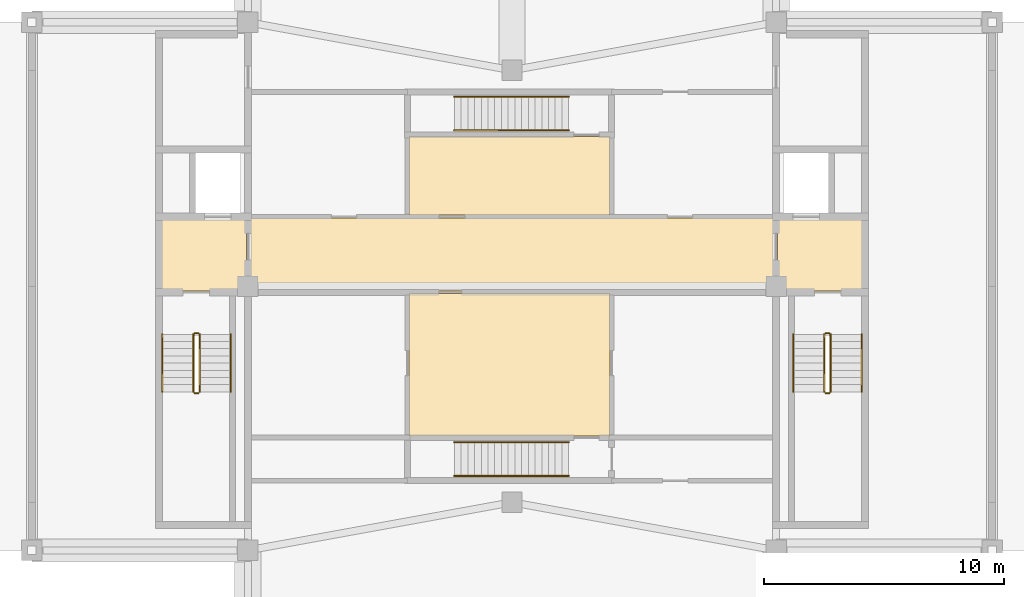
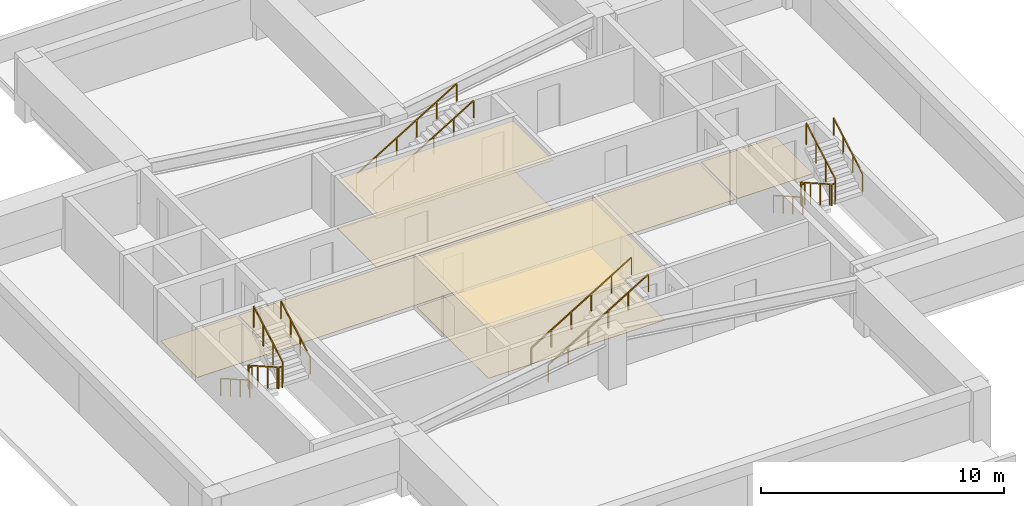
# One storey, part 4 of 4: 16 railings, 7 coverings.
"""IFC4 building model written with IfcOpenShell, lengths in metres."""

from ifc_helpers import new_model, si_unit, direction, frame, origin, origin_2d, place, context, subcontext, project, spatial, polyline, rectangle, outline, extrude, material, layer, layer_set, type_object, element, save


model = new_model("IFC4")

# Units and contexts
model_context = context("Model", 3, precision=1e-05, world=origin(), true_north=direction((0.0, 1.0)))
body_context = subcontext(model_context, "Body", "Model", "MODEL_VIEW")
ifc_project = project(units=[si_unit("LENGTHUNIT", "METRE"), si_unit("AREAUNIT", "SQUARE_METRE"), si_unit("VOLUMEUNIT", "CUBIC_METRE"), si_unit("PLANEANGLEUNIT", "RADIAN"), si_unit("MASSUNIT", "GRAM", prefix="KILO")], contexts=[model_context])

# Site, building, storey
site_placement = place(None, origin())
site = spatial("IfcSite", under=ifc_project, at=site_placement, CompositionType="ELEMENT")
building_placement = place(site_placement, origin())
building = spatial("IfcBuilding", under=site, at=building_placement, Name="Zulmaris Gate Convention Tower", CompositionType="ELEMENT")
storey_placement = place(building_placement, frame((0.0, 0.0, 281.800048828125)))
storey = spatial("IfcBuildingStorey", under=building, at=storey_placement, Name="L75", CompositionType="ELEMENT", Elevation=281.800048828125)

# Coverings
ifc_material_1 = material(Name="Mineral Fibre Acoustic Ceiling Tile")
ifc_layer_1 = layer(ifc_material_1, 0.02001953125, Name="Mineral Fibre Acoustic Ceiling Tile")
ifc_layer_set_1 = layer_set([ifc_layer_1], Name="Mineral Fibre Acoustic Ceiling Tile")
covering_type_1 = type_object("IfcCoveringType", Name="CLG-ACOUSTIC-600", PredefinedType="CEILING", material=ifc_layer_set_1)
covering_1_placement = place(storey_placement, frame((0.0, 0.0, 2.454833984375)))
element("IfcCovering", 1, at=covering_1_placement, inside=storey, type_object=covering_type_1, Name="CLG-L75-R16", PredefinedType="CEILING", context=body_context, shape_type="SweptSolid", body=[
    extrude(outline(polyline([(-4.2900390625, -6.239990234375), (4.090087890625, -6.239990234375), (4.090087890625, -0.31005859375), (-4.2900390625, -0.31005859375), (-4.2900390625, -6.239990234375)])), origin(), (0.0, 0.0, 1.0), 0.02001953125),
])
covering_2_placement = place(storey_placement, frame((0.0, 0.0, 2.454833984375)))
element("IfcCovering", 2, at=covering_2_placement, inside=storey, type_object=covering_type_1, Name="CLG-L75-R17", PredefinedType="CEILING", context=body_context, shape_type="SweptSolid", body=[
    extrude(outline(polyline([(-4.2900390625, 2.9599609375), (4.090087890625, 2.9599609375), (4.090087890625, 6.239990234375), (-4.2900390625, 6.239990234375), (-4.2900390625, 2.9599609375)])), origin(), (0.0, 0.0, 1.0), 0.02001953125),
])
ifc_material_2 = material(Name="Woven Acoustic Wool Carpet Tile")
ifc_layer_2 = layer(ifc_material_2, 0.02001953125, Name="Woven Acoustic Wool Carpet Tile")
ifc_layer_set_2 = layer_set([ifc_layer_2], Name="Woven Acoustic Wool Carpet Tile")
covering_type_2 = type_object("IfcCoveringType", Name="FLR-CARPET-12", PredefinedType="FLOORING", material=ifc_layer_set_2)
covering_3_placement = place(storey_placement, origin())
element("IfcCovering", 3, at=covering_3_placement, inside=storey, type_object=covering_type_2, Name="FLR-L75-R03", PredefinedType="FLOORING", context=body_context, shape_type="SweptSolid", body=[
    extrude(outline(polyline([(-14.639892578125, -0.18994140625), (-11.06005859375, -0.18994140625), (-11.06005859375, 2.840087890625), (-14.639892578125, 2.840087890625), (-14.639892578125, -0.18994140625)])), origin(), (0.0, 0.0, 1.0), 0.02001953125),
])
covering_4_placement = place(storey_placement, origin())
element("IfcCovering", 4, at=covering_4_placement, inside=storey, type_object=covering_type_2, Name="FLR-L75-R08", PredefinedType="FLOORING", context=body_context, shape_type="SweptSolid", body=[
    extrude(outline(polyline([(11.06005859375, -0.18994140625), (14.639892578125, -0.18994140625), (14.639892578125, 2.840087890625), (11.06005859375, 2.840087890625), (11.06005859375, -0.18994140625)])), origin(), (0.0, 0.0, 1.0), 0.02001953125),
])
covering_5_placement = place(storey_placement, origin())
element("IfcCovering", 5, at=covering_5_placement, inside=storey, type_object=covering_type_2, Name="FLR-L75-R15", PredefinedType="FLOORING", context=body_context, shape_type="SweptSolid", body=[
    extrude(outline(polyline([(-10.93994140625, -0.18994140625), (10.93994140625, -0.18994140625), (10.93994140625, 2.840087890625), (-10.93994140625, 2.840087890625), (-10.93994140625, -0.18994140625)])), origin(), (0.0, 0.0, 1.0), 0.02001953125),
])
covering_6_placement = place(storey_placement, origin())
element("IfcCovering", 6, at=covering_6_placement, inside=storey, type_object=covering_type_2, Name="FLR-L75-R16", PredefinedType="FLOORING", context=body_context, shape_type="SweptSolid", body=[
    extrude(outline(polyline([(-4.2900390625, -6.239990234375), (4.090087890625, -6.239990234375), (4.090087890625, -0.31005859375), (-4.2900390625, -0.31005859375), (-4.2900390625, -6.239990234375)])), origin(), (0.0, 0.0, 1.0), 0.02001953125),
])
covering_7_placement = place(storey_placement, origin())
element("IfcCovering", 7, at=covering_7_placement, inside=storey, type_object=covering_type_2, Name="FLR-L75-R17", PredefinedType="FLOORING", context=body_context, shape_type="SweptSolid", body=[
    extrude(outline(polyline([(-4.2900390625, 2.9599609375), (4.090087890625, 2.9599609375), (4.090087890625, 6.239990234375), (-4.2900390625, 6.239990234375), (-4.2900390625, 2.9599609375)])), origin(), (0.0, 0.0, 1.0), 0.02001953125),
])

# Railings
ifc_material_3 = material(Name="Painted Galvanised Steel", Category="steel")
railing_type_1 = type_object("IfcRailingType", Name="RL-STG-1150", PredefinedType="GUARDRAIL", material=ifc_material_3)
railing_1_placement = place(storey_placement, frame((-13.27001953125, -2.0, 0.169921875)))
element("IfcRailing", 8, at=railing_1_placement, inside=storey, type_object=railing_type_1, Name="L75 ST-1 stair guard 1", PredefinedType="GUARDRAIL", context=body_context, shape_type="SweptSolid", body=[
    extrude(rectangle(XDim=0.048095703125, YDim=0.048095703125, at=origin_2d()), frame((0.0, 0.0, 1.076171875), z_axis=(0.0, -0.870034840214, 0.49299024008), x_axis=(1.0, 0.0, 0.0)), (0.0, 0.0, 1.0), 2.75830078125),
    extrude(rectangle(XDim=0.0419921875, YDim=0.0419921875, at=origin_2d()), origin(), (0.0, 0.0, 1.0), 1.052001953125),
    extrude(rectangle(XDim=0.0419921875, YDim=0.0419921875, at=origin_2d()), frame((0.0, -0.800048828125, 0.453369140625)), (0.0, 0.0, 1.0), 1.052001953125),
    extrude(rectangle(XDim=0.0419921875, YDim=0.0419921875, at=origin_2d()), frame((0.0, -1.599853515625, 0.906494140625)), (0.0, 0.0, 1.0), 1.052001953125),
    extrude(rectangle(XDim=0.0419921875, YDim=0.0419921875, at=origin_2d()), frame((0.0, -2.39990234375, 1.35986328125)), (0.0, 0.0, 1.0), 1.052001953125),
])
railing_2_placement = place(storey_placement, frame((-13.219970703125, -4.449951171875, 1.52978515625)))
element("IfcRailing", 9, at=railing_2_placement, inside=storey, type_object=railing_type_1, Name="L75 ST-1 stair guard 2", PredefinedType="GUARDRAIL", context=body_context, shape_type="SweptSolid", body=[
    extrude(rectangle(XDim=0.048095703125, YDim=0.048095703125, at=origin_2d()), frame((0.0, 0.0, 1.076171875), z_axis=(1.0, 0.0, 0.0), x_axis=(0.0, 1.0, 0.0)), (0.0, 0.0, 1.0), 0.159912109375),
    extrude(rectangle(XDim=0.0419921875, YDim=0.0419921875, at=origin_2d()), origin(), (0.0, 0.0, 1.0), 1.052001953125),
    extrude(rectangle(XDim=0.0419921875, YDim=0.0419921875, at=origin_2d()), frame((0.159912109375, 0.0, 0.0)), (0.0, 0.0, 1.0), 1.052001953125),
])
railing_3_placement = place(storey_placement, frame((-13.010009765625, -4.39990234375, 1.699951171875)))
element("IfcRailing", 10, at=railing_3_placement, inside=storey, type_object=railing_type_1, Name="L75 ST-1 stair guard 3", PredefinedType="GUARDRAIL", context=body_context, shape_type="SweptSolid", body=[
    extrude(rectangle(XDim=0.048095703125, YDim=0.048095703125, at=origin_2d()), frame((0.0, 0.0, 1.076171875), z_axis=(0.0, 0.870034840214, 0.49299024008), x_axis=(-1.0, 0.0, 0.0)), (0.0, 0.0, 1.0), 2.75830078125),
    extrude(rectangle(XDim=0.0419921875, YDim=0.0419921875, at=origin_2d()), origin(), (0.0, 0.0, 1.0), 1.052001953125),
    extrude(rectangle(XDim=0.0419921875, YDim=0.0419921875, at=origin_2d()), frame((0.0, 0.800048828125, 0.453369140625)), (0.0, 0.0, 1.0), 1.052001953125),
    extrude(rectangle(XDim=0.0419921875, YDim=0.0419921875, at=origin_2d()), frame((0.0, 1.599853515625, 0.906494140625)), (0.0, 0.0, 1.0), 1.052001953125),
    extrude(rectangle(XDim=0.0419921875, YDim=0.0419921875, at=origin_2d()), frame((0.0, 2.39990234375, 1.35986328125)), (0.0, 0.0, 1.0), 1.052001953125),
])
railing_4_placement = place(storey_placement, frame((-13.219970703125, -1.949951171875, 0.0)))
element("IfcRailing", 11, at=railing_4_placement, inside=storey, type_object=railing_type_1, Name="L75 ST-1 stair guard 4", PredefinedType="GUARDRAIL", context=body_context, shape_type="SweptSolid", body=[
    extrude(rectangle(XDim=0.048095703125, YDim=0.048095703125, at=origin_2d()), frame((0.0, 0.0, 1.076171875), z_axis=(1.0, 0.0, 0.0), x_axis=(0.0, 1.0, 0.0)), (0.0, 0.0, 1.0), 0.159912109375),
    extrude(rectangle(XDim=0.0419921875, YDim=0.0419921875, at=origin_2d()), origin(), (0.0, 0.0, 1.0), 1.052001953125),
    extrude(rectangle(XDim=0.0419921875, YDim=0.0419921875, at=origin_2d()), frame((0.159912109375, 0.0, 0.0)), (0.0, 0.0, 1.0), 1.052001953125),
])
railing_5_placement = place(storey_placement, frame((13.010009765625, -2.0, 0.169921875)))
element("IfcRailing", 12, at=railing_5_placement, inside=storey, type_object=railing_type_1, Name="L75 ST-2 stair guard 1", PredefinedType="GUARDRAIL", context=body_context, shape_type="SweptSolid", body=[
    extrude(rectangle(XDim=0.048095703125, YDim=0.048095703125, at=origin_2d()), frame((0.0, 0.0, 1.076171875), z_axis=(0.0, -0.870034840214, 0.49299024008), x_axis=(1.0, 0.0, 0.0)), (0.0, 0.0, 1.0), 2.75830078125),
    extrude(rectangle(XDim=0.0419921875, YDim=0.0419921875, at=origin_2d()), origin(), (0.0, 0.0, 1.0), 1.052001953125),
    extrude(rectangle(XDim=0.0419921875, YDim=0.0419921875, at=origin_2d()), frame((0.0, -0.800048828125, 0.453369140625)), (0.0, 0.0, 1.0), 1.052001953125),
    extrude(rectangle(XDim=0.0419921875, YDim=0.0419921875, at=origin_2d()), frame((0.0, -1.599853515625, 0.906494140625)), (0.0, 0.0, 1.0), 1.052001953125),
    extrude(rectangle(XDim=0.0419921875, YDim=0.0419921875, at=origin_2d()), frame((0.0, -2.39990234375, 1.35986328125)), (0.0, 0.0, 1.0), 1.052001953125),
])
railing_6_placement = place(storey_placement, frame((13.06005859375, -4.449951171875, 1.52978515625)))
element("IfcRailing", 13, at=railing_6_placement, inside=storey, type_object=railing_type_1, Name="L75 ST-2 stair guard 2", PredefinedType="GUARDRAIL", context=body_context, shape_type="SweptSolid", body=[
    extrude(rectangle(XDim=0.048095703125, YDim=0.048095703125, at=origin_2d()), frame((0.0, 0.0, 1.076171875), z_axis=(1.0, 0.0, 0.0), x_axis=(0.0, 1.0, 0.0)), (0.0, 0.0, 1.0), 0.159912109375),
    extrude(rectangle(XDim=0.0419921875, YDim=0.0419921875, at=origin_2d()), origin(), (0.0, 0.0, 1.0), 1.052001953125),
    extrude(rectangle(XDim=0.0419921875, YDim=0.0419921875, at=origin_2d()), frame((0.159912109375, 0.0, 0.0)), (0.0, 0.0, 1.0), 1.052001953125),
])
railing_7_placement = place(storey_placement, frame((13.27001953125, -4.39990234375, 1.699951171875)))
element("IfcRailing", 14, at=railing_7_placement, inside=storey, type_object=railing_type_1, Name="L75 ST-2 stair guard 3", PredefinedType="GUARDRAIL", context=body_context, shape_type="SweptSolid", body=[
    extrude(rectangle(XDim=0.048095703125, YDim=0.048095703125, at=origin_2d()), frame((0.0, 0.0, 1.076171875), z_axis=(0.0, 0.870034840214, 0.49299024008), x_axis=(-1.0, 0.0, 0.0)), (0.0, 0.0, 1.0), 2.75830078125),
    extrude(rectangle(XDim=0.0419921875, YDim=0.0419921875, at=origin_2d()), origin(), (0.0, 0.0, 1.0), 1.052001953125),
    extrude(rectangle(XDim=0.0419921875, YDim=0.0419921875, at=origin_2d()), frame((0.0, 0.800048828125, 0.453369140625)), (0.0, 0.0, 1.0), 1.052001953125),
    extrude(rectangle(XDim=0.0419921875, YDim=0.0419921875, at=origin_2d()), frame((0.0, 1.599853515625, 0.906494140625)), (0.0, 0.0, 1.0), 1.052001953125),
    extrude(rectangle(XDim=0.0419921875, YDim=0.0419921875, at=origin_2d()), frame((0.0, 2.39990234375, 1.35986328125)), (0.0, 0.0, 1.0), 1.052001953125),
])
railing_8_placement = place(storey_placement, frame((13.06005859375, -1.949951171875, 0.0)))
element("IfcRailing", 15, at=railing_8_placement, inside=storey, type_object=railing_type_1, Name="L75 ST-2 stair guard 4", PredefinedType="GUARDRAIL", context=body_context, shape_type="SweptSolid", body=[
    extrude(rectangle(XDim=0.048095703125, YDim=0.048095703125, at=origin_2d()), frame((0.0, 0.0, 1.076171875), z_axis=(1.0, 0.0, 0.0), x_axis=(0.0, 1.0, 0.0)), (0.0, 0.0, 1.0), 0.159912109375),
    extrude(rectangle(XDim=0.0419921875, YDim=0.0419921875, at=origin_2d()), origin(), (0.0, 0.0, 1.0), 1.052001953125),
    extrude(rectangle(XDim=0.0419921875, YDim=0.0419921875, at=origin_2d()), frame((0.159912109375, 0.0, 0.0)), (0.0, 0.0, 1.0), 1.052001953125),
])
ifc_material_4 = material(Name="Brushed Stainless Steel", Category="steel")
railing_type_2 = type_object("IfcRailingType", Name="RL-STH-900", PredefinedType="HANDRAIL", material=ifc_material_4)
railing_9_placement = place(storey_placement, frame((-14.570068359375, -2.0, 0.169921875)))
element("IfcRailing", 16, at=railing_9_placement, inside=storey, type_object=railing_type_2, Name="L75 ST-1 stair handrail 1", PredefinedType="HANDRAIL", context=body_context, shape_type="SweptSolid", body=[
    extrude(rectangle(XDim=0.048095703125, YDim=0.048095703125, at=origin_2d()), frame((0.0, 0.0, 0.8759765625), z_axis=(0.0, -0.870034840214, 0.49299024008), x_axis=(1.0, 0.0, 0.0)), (0.0, 0.0, 1.0), 2.75830078125),
    extrude(rectangle(XDim=0.0419921875, YDim=0.0419921875, at=origin_2d()), origin(), (0.0, 0.0, 1.0), 0.851806640625),
    extrude(rectangle(XDim=0.0419921875, YDim=0.0419921875, at=origin_2d()), frame((0.0, -0.800048828125, 0.453369140625)), (0.0, 0.0, 1.0), 0.851806640625),
    extrude(rectangle(XDim=0.0419921875, YDim=0.0419921875, at=origin_2d()), frame((0.0, -1.599853515625, 0.906494140625)), (0.0, 0.0, 1.0), 0.851806640625),
    extrude(rectangle(XDim=0.0419921875, YDim=0.0419921875, at=origin_2d()), frame((0.0, -2.39990234375, 1.35986328125)), (0.0, 0.0, 1.0), 0.851806640625),
])
railing_10_placement = place(storey_placement, frame((-11.7099609375, -4.39990234375, 1.699951171875)))
element("IfcRailing", 17, at=railing_10_placement, inside=storey, type_object=railing_type_2, Name="L75 ST-1 stair handrail 2", PredefinedType="HANDRAIL", context=body_context, shape_type="SweptSolid", body=[
    extrude(rectangle(XDim=0.048095703125, YDim=0.048095703125, at=origin_2d()), frame((0.0, 0.0, 0.8759765625), z_axis=(0.0, 0.870034840214, 0.49299024008), x_axis=(-1.0, 0.0, 0.0)), (0.0, 0.0, 1.0), 2.75830078125),
    extrude(rectangle(XDim=0.0419921875, YDim=0.0419921875, at=origin_2d()), origin(), (0.0, 0.0, 1.0), 0.851806640625),
    extrude(rectangle(XDim=0.0419921875, YDim=0.0419921875, at=origin_2d()), frame((0.0, 0.800048828125, 0.453369140625)), (0.0, 0.0, 1.0), 0.851806640625),
    extrude(rectangle(XDim=0.0419921875, YDim=0.0419921875, at=origin_2d()), frame((0.0, 1.599853515625, 0.906494140625)), (0.0, 0.0, 1.0), 0.851806640625),
    extrude(rectangle(XDim=0.0419921875, YDim=0.0419921875, at=origin_2d()), frame((0.0, 2.39990234375, 1.35986328125)), (0.0, 0.0, 1.0), 0.851806640625),
])
railing_11_placement = place(storey_placement, frame((11.7099609375, -2.0, 0.169921875)))
element("IfcRailing", 18, at=railing_11_placement, inside=storey, type_object=railing_type_2, Name="L75 ST-2 stair handrail 1", PredefinedType="HANDRAIL", context=body_context, shape_type="SweptSolid", body=[
    extrude(rectangle(XDim=0.048095703125, YDim=0.048095703125, at=origin_2d()), frame((0.0, 0.0, 0.8759765625), z_axis=(0.0, -0.870034840214, 0.49299024008), x_axis=(1.0, 0.0, 0.0)), (0.0, 0.0, 1.0), 2.75830078125),
    extrude(rectangle(XDim=0.0419921875, YDim=0.0419921875, at=origin_2d()), origin(), (0.0, 0.0, 1.0), 0.851806640625),
    extrude(rectangle(XDim=0.0419921875, YDim=0.0419921875, at=origin_2d()), frame((0.0, -0.800048828125, 0.453369140625)), (0.0, 0.0, 1.0), 0.851806640625),
    extrude(rectangle(XDim=0.0419921875, YDim=0.0419921875, at=origin_2d()), frame((0.0, -1.599853515625, 0.906494140625)), (0.0, 0.0, 1.0), 0.851806640625),
    extrude(rectangle(XDim=0.0419921875, YDim=0.0419921875, at=origin_2d()), frame((0.0, -2.39990234375, 1.35986328125)), (0.0, 0.0, 1.0), 0.851806640625),
])
railing_12_placement = place(storey_placement, frame((14.570068359375, -4.39990234375, 1.699951171875)))
element("IfcRailing", 19, at=railing_12_placement, inside=storey, type_object=railing_type_2, Name="L75 ST-2 stair handrail 2", PredefinedType="HANDRAIL", context=body_context, shape_type="SweptSolid", body=[
    extrude(rectangle(XDim=0.048095703125, YDim=0.048095703125, at=origin_2d()), frame((0.0, 0.0, 0.8759765625), z_axis=(0.0, 0.870034840214, 0.49299024008), x_axis=(-1.0, 0.0, 0.0)), (0.0, 0.0, 1.0), 2.75830078125),
    extrude(rectangle(XDim=0.0419921875, YDim=0.0419921875, at=origin_2d()), origin(), (0.0, 0.0, 1.0), 0.851806640625),
    extrude(rectangle(XDim=0.0419921875, YDim=0.0419921875, at=origin_2d()), frame((0.0, 0.800048828125, 0.453369140625)), (0.0, 0.0, 1.0), 0.851806640625),
    extrude(rectangle(XDim=0.0419921875, YDim=0.0419921875, at=origin_2d()), frame((0.0, 1.599853515625, 0.906494140625)), (0.0, 0.0, 1.0), 0.851806640625),
    extrude(rectangle(XDim=0.0419921875, YDim=0.0419921875, at=origin_2d()), frame((0.0, 2.39990234375, 1.35986328125)), (0.0, 0.0, 1.0), 0.851806640625),
])
for number, where, name in (
    (20, (-2.39990234375, -7.89990234375, 0.169921875), "L75 ST-7 stair handrail 1"),
    (21, (-2.39990234375, -6.5, 0.169921875), "L75 ST-7 stair handrail 2"),
    (22, (-2.39990234375, 6.5, 0.169921875), "L75 ST-8 stair handrail 1"),
    (23, (-2.39990234375, 7.89990234375, 0.169921875), "L75 ST-8 stair handrail 2"),
):
    element("IfcRailing", number, at=place(storey_placement, frame(where)), inside=storey, type_object=railing_type_2, Name=name, PredefinedType="HANDRAIL", context=body_context, shape_type="SweptSolid", body=[
        extrude(rectangle(XDim=0.048095703125, YDim=0.048095703125, at=origin_2d()), frame((0.0, 0.0, 0.8759765625), z_axis=(0.854796545088, 0.0, 0.51896326123), x_axis=(0.0, 1.0, 0.0)), (0.0, 0.0, 1.0), 5.568603515625),
        extrude(rectangle(XDim=0.0419921875, YDim=0.0419921875, at=origin_2d()), origin(), (0.0, 0.0, 1.0), 0.851806640625),
        extrude(rectangle(XDim=0.0419921875, YDim=0.0419921875, at=origin_2d()), frame((0.951904296875, 0.0, 0.577880859375)), (0.0, 0.0, 1.0), 0.851806640625),
        extrude(rectangle(XDim=0.0419921875, YDim=0.0419921875, at=origin_2d()), frame((1.904052734375, 0.0, 1.156005859375)), (0.0, 0.0, 1.0), 0.851806640625),
        extrude(rectangle(XDim=0.0419921875, YDim=0.0419921875, at=origin_2d()), frame((2.85595703125, 0.0, 1.73388671875)), (0.0, 0.0, 1.0), 0.851806640625),
        extrude(rectangle(XDim=0.0419921875, YDim=0.0419921875, at=origin_2d()), frame((3.80810546875, 0.0, 2.31201171875)), (0.0, 0.0, 1.0), 0.851806640625),
        extrude(rectangle(XDim=0.0419921875, YDim=0.0419921875, at=origin_2d()), frame((4.760009765625, 0.0, 2.889892578125)), (0.0, 0.0, 1.0), 0.851806640625),
    ])

save(model, "model.ifc")
